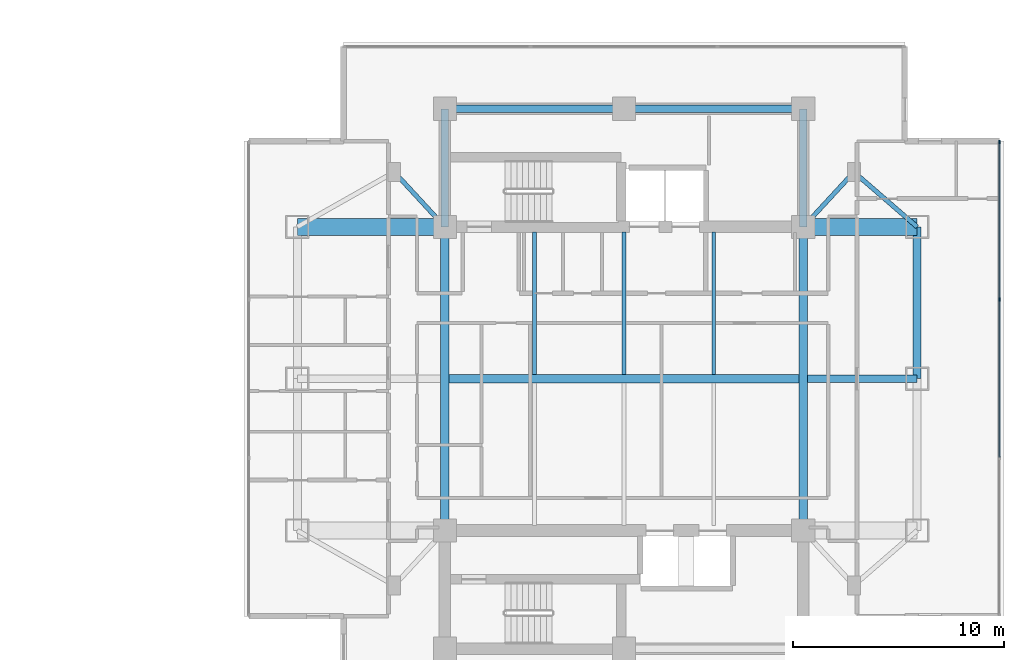
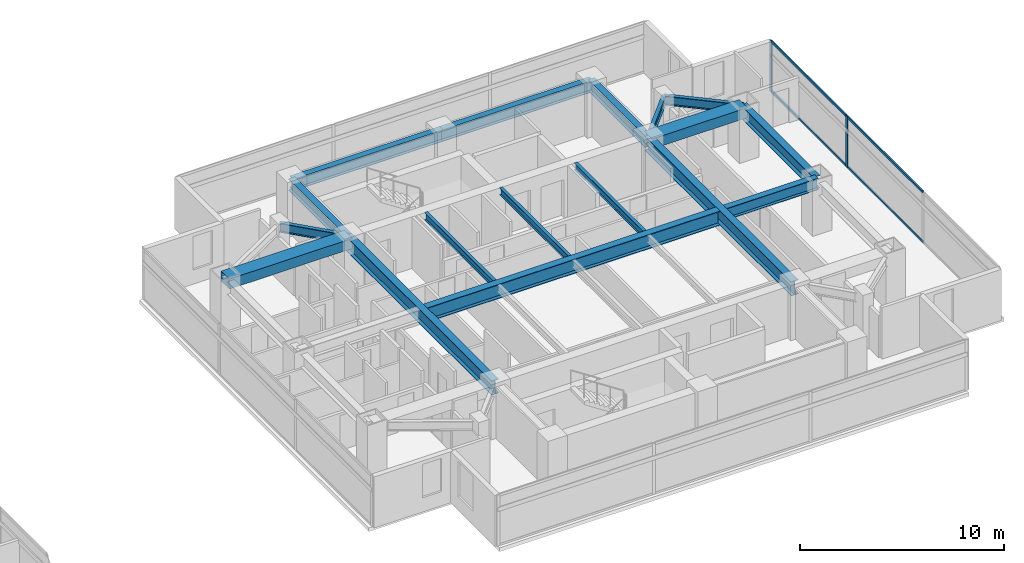
# One storey, part 10 of 25: 17 beams, 6 members, 1 element without a shape of its own.
"""IFC4 building model written with IfcOpenShell, lengths in metres."""

import ifcopenshell
import ifcopenshell.guid

model = None  # the IFC model being written
_history = None  # IfcOwnerHistory: only IFC2X3 demands one
_inside = {}  # id of a spatial element -> (the spatial element, [elements in it])
_under = {}  # id of a project, library or spatial element -> (it, [spatial elements below it])
_declared = {}  # id of a project -> (the project, [libraries it declares])
_typed = {}  # id of a type object -> (the type object, [elements of that type])
_made_of = {}  # id of a material, layer set ... -> (it, [elements and type objects made of it])


def new_model(schema):
    """Start an empty IFC model of exactly this schema.

    Asked for "IFC4X3", IfcOpenShell would pick the latest addendum, in which some entities
    have other attributes; the version numbers below select the first issue.
    IFC2X3 requires an IfcOwnerHistory on every rooted entity: one is made here for all.
    """
    global model, _history
    if schema == "IFC4X3":
        model = ifcopenshell.file(schema_version=(4, 3, 0, 0))
    else:
        model = ifcopenshell.file(schema=schema)
    _inside.clear()
    _under.clear()
    _declared.clear()
    _typed.clear()
    _made_of.clear()
    _history = None
    if model.schema == "IFC2X3":
        org = make("IfcOrganization", Name="unknown")
        user = make(
            "IfcPersonAndOrganization",
            ThePerson=make("IfcPerson", FamilyName="unknown"),
            TheOrganization=org,
        )
        app = make(
            "IfcApplication",
            ApplicationDeveloper=org,
            Version="unknown",
            ApplicationFullName="unknown",
            ApplicationIdentifier="unknown",
        )
        _history = make(
            "IfcOwnerHistory",
            OwningUser=user,
            OwningApplication=app,
            ChangeAction="ADDED",
            CreationDate=0,
        )
    return model


def make(cls, **values):
    """One entity of the class cls with the attributes given. An attribute that is None is left unset."""
    return model.create_entity(
        cls, **{name: value for name, value in values.items() if value is not None}
    )


def rooted(cls, **values):
    """An entity with a GlobalId (a new one), such as an element, a storey or a relation."""
    return make(cls, GlobalId=ifcopenshell.guid.new(), OwnerHistory=_history, **values)


def si_unit(unit_type, name, prefix=None):
    """IfcSIUnit, for example si_unit("LENGTHUNIT", "METRE", prefix="MILLI")."""
    return make("IfcSIUnit", UnitType=unit_type, Prefix=prefix, Name=name)


def assignment(units):
    """IfcUnitAssignment: the units of a project."""
    return None if units is None else make("IfcUnitAssignment", Units=units)


def point(xyz):
    """IfcCartesianPoint."""
    return None if xyz is None else make("IfcCartesianPoint", Coordinates=xyz)


def direction(xyz):
    """IfcDirection."""
    return None if xyz is None else make("IfcDirection", DirectionRatios=xyz)


def frame(location, z_axis=None, x_axis=None):
    """IfcAxis2Placement3D, a coordinate frame: its origin and axes. An axis left out is left unset."""
    return make(
        "IfcAxis2Placement3D",
        Location=point(location),
        Axis=direction(z_axis),
        RefDirection=direction(x_axis),
    )


def frame_2d(location, x_axis=None):
    """IfcAxis2Placement2D, a coordinate frame in the plane: its origin and x axis."""
    return make(
        "IfcAxis2Placement2D", Location=point(location), RefDirection=direction(x_axis)
    )


def origin():
    """The frame at (0, 0, 0) with its axes left unset."""
    return frame((0.0, 0.0, 0.0))


def origin_2d():
    """The frame at (0, 0) in the plane with its x axis left unset."""
    return frame_2d((0.0, 0.0))


def place(relative_to, where):
    """IfcLocalPlacement: puts the frame where relative to a parent placement (None: the world)."""
    return make(
        "IfcLocalPlacement", PlacementRelTo=relative_to, RelativePlacement=where
    )


def context(
    kind, dimensions, precision=None, world=None, true_north=None, identifier=None
):
    """IfcGeometricRepresentationContext, for example the 3D "Model" context."""
    return make(
        "IfcGeometricRepresentationContext",
        ContextIdentifier=identifier,
        ContextType=kind,
        CoordinateSpaceDimension=dimensions,
        Precision=precision,
        WorldCoordinateSystem=world,
        TrueNorth=true_north,
    )


def subcontext(parent, identifier, kind, view, scale=None):
    """IfcGeometricRepresentationSubContext, for example "Body" below "Model"."""
    return make(
        "IfcGeometricRepresentationSubContext",
        ContextIdentifier=identifier,
        ContextType=kind,
        ParentContext=parent,
        TargetScale=scale,
        TargetView=view,
    )


def project(units=None, contexts=None):
    """IfcProject with its units and contexts."""
    return rooted(
        "IfcProject",
        Name="project",
        RepresentationContexts=contexts,
        UnitsInContext=assignment(units),
    )


def spatial(cls, under=None, at=None, **own):
    """A site, building, storey or space (cls), placed at a placement, below another one or the project."""
    s = rooted(cls, ObjectPlacement=at, **own)
    if under is not None:
        _under.setdefault(under.id(), (under, []))[1].append(s)
    return s


def profile(cls, at=None, kind="AREA", **sizes):
    """A parametric profile (cls). Its sizes go by their IFC names, for example OverallWidth=200.0."""
    return make(cls, ProfileType=kind, Position=at, **sizes)


def rectangle(**sizes):
    """IfcRectangleProfileDef."""
    return profile("IfcRectangleProfileDef", **sizes)


def i_section(**sizes):
    """IfcIShapeProfileDef."""
    return profile("IfcIShapeProfileDef", **sizes)


def extrude(swept, where, along, depth):
    """IfcExtrudedAreaSolid: the profile swept, set in the frame where, extruded along a direction by depth."""
    return make(
        "IfcExtrudedAreaSolid",
        SweptArea=swept,
        Position=where,
        ExtrudedDirection=direction(along),
        Depth=depth,
    )


def shape(context_of_items, identifier, shape_type, items):
    """IfcShapeRepresentation: the items that make up one representation, for example the "Body"."""
    return make(
        "IfcShapeRepresentation",
        ContextOfItems=context_of_items,
        RepresentationIdentifier=identifier,
        RepresentationType=shape_type,
        Items=items,
    )


def material(Name=None, Category=None):
    """IfcMaterial."""
    return make("IfcMaterial", Name=Name, Category=Category)


def material_profile(
    of_material, cross_section, Name=None, Category=None, Priority=None
):
    """IfcMaterialProfile: a cross section and its material."""
    return make(
        "IfcMaterialProfile",
        Name=Name,
        Material=of_material,
        Profile=cross_section,
        Priority=Priority,
        Category=Category,
    )


def profile_set(profiles, Name=None, composite=None):
    """IfcMaterialProfileSet."""
    return make(
        "IfcMaterialProfileSet",
        Name=Name,
        MaterialProfiles=profiles,
        CompositeProfile=composite,
    )


def made_of(thing, what):
    """Note that an element or type object is made of a material, layer set ...; save() writes the relation."""
    if what is not None:
        _made_of.setdefault(what.id(), (what, []))[1].append(thing)
    return thing


def type_object(cls, material=None, **own):
    """A type object (cls), such as IfcWallType, which elements share."""
    return made_of(rooted(cls, **own), material)


def element(
    cls,
    number,
    at=None,
    inside=None,
    cuts=None,
    type_object=None,
    material=None,
    context=None,
    identifier="Body",
    shape_type=None,
    held_by="IfcProductDefinitionShape",
    body=None,
    shapes=None,
    **own,
):
    """One element of the class cls, such as IfcWall. Its Tag is "e" and its number.

    at: its placement. inside: the storey or other place that contains it. cuts: it is an
    opening in that element (IfcRelVoidsElement). A single representation is given by context,
    identifier, shape_type and body (its items); several are given by shapes. held_by: the class
    of the entity that holds the representations. save() writes the other relations.
    """
    e = rooted(cls, Tag="e%d" % number, ObjectPlacement=at, **own)
    if body is not None:
        shapes = [shape(context, identifier, shape_type, body)]
    if shapes is not None:
        e.Representation = make(held_by, Representations=shapes)
    if inside is not None:
        _inside.setdefault(inside.id(), (inside, []))[1].append(e)
    if cuts is not None:
        rooted(
            "IfcRelVoidsElement", RelatingBuildingElement=cuts, RelatedOpeningElement=e
        )
    if type_object is not None:
        _typed.setdefault(type_object.id(), (type_object, []))[1].append(e)
    return made_of(e, material)


def aggregate(whole, parts):
    """IfcRelAggregates: a whole, such as a stair, and the parts it consists of."""
    return rooted("IfcRelAggregates", RelatingObject=whole, RelatedObjects=parts)


def save(model, path):
    """Write the relations noted so far, then the file.

    IfcRelAggregates (storeys below a building ...), IfcRelContainedInSpatialStructure (elements
    in a storey), IfcRelDefinesByType, IfcRelAssociatesMaterial and IfcRelDeclares: one each for
    every whole, place, type object, material and project.
    """
    for whole, parts in _under.values():
        aggregate(whole, parts)
    for where, things in _inside.values():
        rooted(
            "IfcRelContainedInSpatialStructure",
            RelatedElements=things,
            RelatingStructure=where,
        )
    for kind, things in _typed.values():
        rooted("IfcRelDefinesByType", RelatedObjects=things, RelatingType=kind)
    for what, things in _made_of.values():
        rooted("IfcRelAssociatesMaterial", RelatedObjects=things, RelatingMaterial=what)
    for by, libraries in _declared.values():
        rooted("IfcRelDeclares", RelatingContext=by, RelatedDefinitions=libraries)
    model.write(path)


model = new_model("IFC4")

# Units and contexts
model_context = context("Model", 3, precision=1e-05, world=origin(), true_north=direction((0.0, 1.0)))
body_context = subcontext(model_context, "Body", "Model", "MODEL_VIEW")
ifc_project = project(units=[si_unit("LENGTHUNIT", "METRE"), si_unit("AREAUNIT", "SQUARE_METRE"), si_unit("VOLUMEUNIT", "CUBIC_METRE"), si_unit("PLANEANGLEUNIT", "RADIAN"), si_unit("MASSUNIT", "GRAM", prefix="KILO")], contexts=[model_context])

# Site, building, storey
site_placement = place(None, origin())
site = spatial("IfcSite", under=ifc_project, at=site_placement, CompositionType="ELEMENT")
building_placement = place(site_placement, origin())
building = spatial("IfcBuilding", under=site, at=building_placement, Name="Mirazonda Arch Towers", CompositionType="ELEMENT")
storey_placement = place(building_placement, frame((0.0, 0.0, 131.300048828125)))
storey = spatial("IfcBuildingStorey", under=building, at=storey_placement, Name="L37", CompositionType="ELEMENT", Elevation=131.300048828125)

# Beams
ifc_material_1 = material(Name="Steel ASTM A992 Grade 50", Category="steel")
ifc_material_profile_1 = material_profile(ifc_material_1, i_section(OverallWidth=0.381103515625, OverallDepth=0.77294921875, WebThickness=0.0166015625, FlangeThickness=0.027099609375, at=origin_2d()), Name="W30X173")
ifc_profile_set_1 = profile_set([ifc_material_profile_1], Name="Steel ASTM A992 Grade 50")
beam_type_1 = type_object("IfcBeamType", Name="BM-EXT-W30X173", PredefinedType="USERDEFINED", material=ifc_profile_set_1)
beam_1_placement = place(storey_placement, frame((90.39990234375, 28.0, 2.693359375), z_axis=(0.0, 1.0, 0.0), x_axis=(-1.0, 0.0, 0.0)))
element("IfcBeam", 1, at=beam_1_placement, inside=storey, type_object=beam_type_1, Name="L37 Floor Beam BM-T2-L37-NS-E-28", ObjectType="GIRDER", PredefinedType="USERDEFINED", context=body_context, shape_type="SweptSolid", body=[
    extrude(i_section(OverallWidth=0.381103515625, OverallDepth=0.77294921875, WebThickness=0.0166015625, FlangeThickness=0.027099609375, at=origin_2d()), origin(), (0.0, 0.0, 1.0), 7.199951171875),
])
ifc_material_profile_2 = material_profile(ifc_material_1, i_section(OverallWidth=0.180908203125, OverallDepth=0.4169921875, WebThickness=0.010986328125, FlangeThickness=0.018310546875, at=origin_2d()), Name="W16X57")
ifc_profile_set_2 = profile_set([ifc_material_profile_2], Name="Steel ASTM A992 Grade 50")
beam_type_2 = type_object("IfcBeamType", Name="BM-INT-W16X57", PredefinedType="JOIST", material=ifc_profile_set_2)
for number, where, z_axis, x_axis, name in (
    (2, (72.25, 28.196044921875, 2.871337890625), (0.0, 1.0, 0.0), (-1.0, 0.0, 0.0), "L37 Floor Beam BM-T2-L37-J-722-28"),
    (3, (76.5, 28.196044921875, 2.871337890625), (0.0, 1.0, 0.0), (-1.0, 0.0, 0.0), "L37 Floor Beam BM-T2-L37-J-765-28"),
    (4, (80.75, 28.196044921875, 2.871337890625), (0.0, 1.0, 0.0), (-1.0, 0.0, 0.0), "L37 Floor Beam BM-T2-L37-J-807-28"),
):
    element("IfcBeam", number, at=place(storey_placement, frame(where, z_axis=z_axis, x_axis=x_axis)), inside=storey, type_object=beam_type_2, Name=name, PredefinedType="JOIST", context=body_context, shape_type="SweptSolid", body=[
        extrude(i_section(OverallWidth=0.180908203125, OverallDepth=0.4169921875, WebThickness=0.010986328125, FlangeThickness=0.018310546875, at=origin_2d()), origin(), (0.0, 0.0, 1.0), 6.763916015625),
    ])
ifc_material_profile_3 = material_profile(ifc_material_1, i_section(OverallWidth=0.214111328125, OverallDepth=0.549072265625, WebThickness=0.0146484375, FlangeThickness=0.023681640625, at=origin_2d()), Name="W21X93")
ifc_profile_set_3 = profile_set([ifc_material_profile_3], Name="Steel ASTM A992 Grade 50")
beam_type_3 = type_object("IfcBeamType", Name="BM-INT-W21X93", PredefinedType="BEAM", material=ifc_profile_set_3)
for number, where, z_axis, x_axis, name in (
    (5, (65.60009765625, 37.800048828125, 2.805419921875), (0.678251444854, -0.734829897019, 0.0), (0.734829897019, 0.678251444854, 0.0), "L37 Floor Beam BM-T2-L37-PL-NW1"),
    (6, (87.39990234375, 37.800048828125, 2.805419921875), (-0.678251444854, -0.734829897019, 0.0), (0.734829897019, -0.678251444854, 0.0), "L37 Floor Beam BM-T2-L37-PL-NE1"),
):
    element("IfcBeam", number, at=place(storey_placement, frame(where, z_axis=z_axis, x_axis=x_axis)), inside=storey, type_object=beam_type_3, Name=name, PredefinedType="BEAM", context=body_context, shape_type="SweptSolid", body=[
        extrude(i_section(OverallWidth=0.214111328125, OverallDepth=0.549072265625, WebThickness=0.0146484375, FlangeThickness=0.023681640625, at=origin_2d()), origin(), (0.0, 0.0, 1.0), 3.538330078125),
    ])
beam_2_placement = place(storey_placement, frame((87.39990234375, 37.800048828125, 2.805419921875), z_axis=(0.755676908098, -0.654944585876, 0.0), x_axis=(0.654944585876, 0.755676908098, 0.0)))
element("IfcBeam", 7, at=beam_2_placement, inside=storey, type_object=beam_type_3, Name="L37 Floor Beam BM-T2-L37-PL-NE2", PredefinedType="BEAM", context=body_context, shape_type="SweptSolid", body=[
    extrude(i_section(OverallWidth=0.214111328125, OverallDepth=0.549072265625, WebThickness=0.0146484375, FlangeThickness=0.023681640625, at=origin_2d()), origin(), (0.0, 0.0, 1.0), 3.969970703125),
])
ifc_material_profile_4 = material_profile(ifc_material_1, i_section(OverallWidth=0.35498046875, OverallDepth=0.696044921875, WebThickness=0.015380859375, FlangeThickness=0.02490234375, at=origin_2d()), Name="W27X146")
ifc_profile_set_4 = profile_set([ifc_material_profile_4], Name="Steel ASTM A992 Grade 50")
beam_type_4 = type_object("IfcBeamType", Name="BM-INT-W27X146", PredefinedType="BEAM", material=ifc_profile_set_4)
for number, where, z_axis, x_axis, name in (
    (8, (68.0, 40.800048828125, 2.73193359375), (1.0, 0.0, 0.0), (0.0, 1.0, 0.0), "L37 Floor Beam BM-T2-L37-CN1"),
    (9, (76.5, 40.800048828125, 2.73193359375), (1.0, 0.0, 0.0), (0.0, 1.0, 0.0), "L37 Floor Beam BM-T2-L37-CN2"),
):
    element("IfcBeam", number, at=place(storey_placement, frame(where, z_axis=z_axis, x_axis=x_axis)), inside=storey, type_object=beam_type_4, Name=name, PredefinedType="BEAM", context=body_context, shape_type="SweptSolid", body=[
        extrude(i_section(OverallWidth=0.35498046875, OverallDepth=0.696044921875, WebThickness=0.015380859375, FlangeThickness=0.02490234375, at=origin_2d()), origin(), (0.0, 0.0, 1.0), 8.5),
    ])
for number, where, z_axis, x_axis, name in (
    (10, (68.0, 35.199951171875, 2.73193359375), (0.0, 1.0, 0.0), (-1.0, 0.0, 0.0), "L37 Floor Beam BM-T2-L37-CNW"),
    (11, (85.0, 35.199951171875, 2.73193359375), (0.0, 1.0, 0.0), (-1.0, 0.0, 0.0), "L37 Floor Beam BM-T2-L37-CNE"),
):
    element("IfcBeam", number, at=place(storey_placement, frame(where, z_axis=z_axis, x_axis=x_axis)), inside=storey, type_object=beam_type_4, Name=name, PredefinedType="BEAM", context=body_context, shape_type="SweptSolid", body=[
        extrude(i_section(OverallWidth=0.35498046875, OverallDepth=0.696044921875, WebThickness=0.015380859375, FlangeThickness=0.02490234375, at=origin_2d()), origin(), (0.0, 0.0, 1.0), 5.60009765625),
    ])
beam_3_placement = place(storey_placement, frame((85.199951171875, 28.0, 2.73193359375), z_axis=(1.0, 0.0, 0.0), x_axis=(0.0, 1.0, 0.0)))
element("IfcBeam", 12, at=beam_3_placement, inside=storey, type_object=beam_type_4, Name="L37 Floor Beam BM-T2-L37-GE2", PredefinedType="BEAM", context=body_context, shape_type="SweptSolid", body=[
    extrude(i_section(OverallWidth=0.35498046875, OverallDepth=0.696044921875, WebThickness=0.015380859375, FlangeThickness=0.02490234375, at=origin_2d()), origin(), (0.0, 0.0, 1.0), 5.199951171875),
])
ifc_material_profile_5 = material_profile(ifc_material_1, i_section(OverallWidth=0.39990234375, OverallDepth=0.85595703125, WebThickness=0.018310546875, FlangeThickness=0.029296875, at=origin_2d()), Name="W33X201")
ifc_profile_set_5 = profile_set([ifc_material_profile_5], Name="Steel ASTM A992 Grade 50")
beam_type_5 = type_object("IfcBeamType", Name="BM-INT-W33X201", PredefinedType="USERDEFINED", material=ifc_profile_set_5)
beam_4_placement = place(storey_placement, frame((68.199951171875, 28.0, 2.65185546875), z_axis=(1.0, 0.0, 0.0), x_axis=(0.0, 1.0, 0.0)))
element("IfcBeam", 13, at=beam_4_placement, inside=storey, type_object=beam_type_5, Name="L37 Floor Beam BM-T2-L37-GC2", ObjectType="GIRDER", PredefinedType="USERDEFINED", context=body_context, shape_type="SweptSolid", body=[
    extrude(i_section(OverallWidth=0.39990234375, OverallDepth=0.85595703125, WebThickness=0.018310546875, FlangeThickness=0.029296875, at=origin_2d()), origin(), (0.0, 0.0, 1.0), 16.60009765625),
])
for number, where, z_axis, x_axis, name in (
    (14, (68.0, 20.800048828125, 2.65185546875), (0.0, 1.0, 0.0), (-1.0, 0.0, 0.0), "L37 Floor Beam BM-T2-L37-NS-CW-FULL"),
    (15, (85.0, 20.800048828125, 2.65185546875), (0.0, 1.0, 0.0), (-1.0, 0.0, 0.0), "L37 Floor Beam BM-T2-L37-NS-CE-FULL"),
):
    element("IfcBeam", number, at=place(storey_placement, frame(where, z_axis=z_axis, x_axis=x_axis)), inside=storey, type_object=beam_type_5, Name=name, ObjectType="GIRDER", PredefinedType="USERDEFINED", context=body_context, shape_type="SweptSolid", body=[
        extrude(i_section(OverallWidth=0.39990234375, OverallDepth=0.85595703125, WebThickness=0.018310546875, FlangeThickness=0.029296875, at=origin_2d()), origin(), (0.0, 0.0, 1.0), 14.39990234375),
    ])
ifc_material_2 = material(Name="Concrete C60/75", Category="concrete")
ifc_material_profile_6 = material_profile(ifc_material_2, rectangle(XDim=0.800048828125, YDim=0.60009765625, at=origin_2d()), Name="RCCB800x600")
ifc_profile_set_6 = profile_set([ifc_material_profile_6], Name="Concrete C60/75")
beam_type_6 = type_object("IfcBeamType", Name="CB-INT-RCCB800x600", PredefinedType="SPANDREL", material=ifc_profile_set_6)
beam_5_placement = place(storey_placement, frame((61.0, 35.199951171875, 2.780029296875), z_axis=(1.0, 0.0, 0.0), x_axis=(0.0, 1.0, 0.0)))
element("IfcBeam", 16, at=beam_5_placement, inside=storey, type_object=beam_type_6, Name="L37 Floor Beam CBC-T2-L37-NW", PredefinedType="SPANDREL", context=body_context, shape_type="SweptSolid", body=[
    extrude(rectangle(XDim=0.800048828125, YDim=0.60009765625, at=origin_2d()), origin(), (0.0, 0.0, 1.0), 7.0),
])
beam_6_placement = place(storey_placement, frame((85.0, 35.199951171875, 2.780029296875), z_axis=(1.0, 0.0, 0.0), x_axis=(0.0, 1.0, 0.0)))
element("IfcBeam", 17, at=beam_6_placement, inside=storey, type_object=beam_type_6, Name="L37 Floor Beam CBC-T2-L37-NE", PredefinedType="SPANDREL", context=body_context, shape_type="SweptSolid", body=[
    extrude(rectangle(XDim=0.800048828125, YDim=0.60009765625, at=origin_2d()), origin(), (0.0, 0.0, 1.0), 5.39990234375),
])

# Curtain wall, members
ifc_material_3 = material(Name="Anodised Aluminium and Low-E Glass", Category="aluminium")
curtain_wall_type = type_object("IfcCurtainWallType", Name="CW-HTL-UNIT", PredefinedType="NOTDEFINED", material=ifc_material_3)
curtain_wall_placement = place(storey_placement, origin())
curtain_wall = element("IfcCurtainWall", 18, at=curtain_wall_placement, inside=storey, type_object=curtain_wall_type, Name="L37 T2 E Facade CW-L37-T2-E", PredefinedType="NOTDEFINED")
ifc_material_4 = material(Name="Anodised Aluminium Alloy", Category="aluminium")
ifc_material_profile_7 = material_profile(ifc_material_4, rectangle(XDim=0.074951171875, YDim=0.1650390625, at=origin_2d()), Name="ALU-MULL-75x165")
ifc_profile_set_7 = profile_set([ifc_material_profile_7], Name="Anodised Aluminium Alloy")
member_type_1 = type_object("IfcMemberType", Name="MULL-CW-HTL-UNIT", PredefinedType="MULLION", material=ifc_profile_set_7)
member_1_placement = place(storey_placement, frame((94.297119140625, 31.755126953125, 0.0), z_axis=(0.0, 0.0, 1.0), x_axis=(-1.0, 0.0, 0.0)))
member_1 = element("IfcMember", 19, at=member_1_placement, type_object=member_type_1, Name="CW-112 mullion 3", PredefinedType="MULLION", context=body_context, shape_type="SweptSolid", body=[
    extrude(rectangle(XDim=0.074951171875, YDim=0.1650390625, at=origin_2d()), origin(), (0.0, 0.0, 1.0), 3.06005859375),
])
member_2_placement = place(storey_placement, frame((94.297119140625, 39.228271484375, 0.0), z_axis=(0.0, 0.0, 1.0), x_axis=(-1.0, 0.0, 0.0)))
member_2 = element("IfcMember", 20, at=member_2_placement, type_object=member_type_1, Name="CW-112 mullion 4", PredefinedType="MULLION", context=body_context, shape_type="SweptSolid", body=[
    extrude(rectangle(XDim=0.074951171875, YDim=0.1650390625, at=origin_2d()), origin(), (0.0, 0.0, 1.0), 3.06005859375),
])
ifc_material_profile_8 = material_profile(ifc_material_4, rectangle(XDim=0.074951171875, YDim=0.14501953125, at=origin_2d()), Name="ALU-TRAN-75x145")
ifc_profile_set_8 = profile_set([ifc_material_profile_8], Name="Anodised Aluminium Alloy")
member_type_2 = type_object("IfcMemberType", Name="TRAN-CW-HTL-UNIT", PredefinedType="USERDEFINED", material=ifc_profile_set_8)
member_3_placement = place(storey_placement, frame((94.297119140625, 24.2822265625, 0.037353515625), z_axis=(0.0, 1.0, 0.0), x_axis=(-1.0, 0.0, 0.0)))
member_3 = element("IfcMember", 21, at=member_3_placement, type_object=member_type_2, Name="CW-112 transom 2.1", ObjectType="TRANSOM", PredefinedType="USERDEFINED", context=body_context, shape_type="SweptSolid", body=[
    extrude(rectangle(XDim=0.074951171875, YDim=0.14501953125, at=origin_2d()), origin(), (0.0, 0.0, 1.0), 7.435546875),
])
member_4_placement = place(storey_placement, frame((94.297119140625, 24.2822265625, 3.0224609375), z_axis=(0.0, 1.0, 0.0), x_axis=(-1.0, 0.0, 0.0)))
member_4 = element("IfcMember", 22, at=member_4_placement, type_object=member_type_2, Name="CW-112 transom 2.2", ObjectType="TRANSOM", PredefinedType="USERDEFINED", context=body_context, shape_type="SweptSolid", body=[
    extrude(rectangle(XDim=0.074951171875, YDim=0.14501953125, at=origin_2d()), origin(), (0.0, 0.0, 1.0), 7.435546875),
])
member_5_placement = place(storey_placement, frame((94.297119140625, 31.792724609375, 0.037353515625), z_axis=(0.0, 1.0, 0.0), x_axis=(-1.0, 0.0, 0.0)))
member_5 = element("IfcMember", 23, at=member_5_placement, type_object=member_type_2, Name="CW-112 transom 3.1", ObjectType="TRANSOM", PredefinedType="USERDEFINED", context=body_context, shape_type="SweptSolid", body=[
    extrude(rectangle(XDim=0.074951171875, YDim=0.14501953125, at=origin_2d()), origin(), (0.0, 0.0, 1.0), 7.39794921875),
])
member_6_placement = place(storey_placement, frame((94.297119140625, 31.792724609375, 3.0224609375), z_axis=(0.0, 1.0, 0.0), x_axis=(-1.0, 0.0, 0.0)))
member_6 = element("IfcMember", 24, at=member_6_placement, type_object=member_type_2, Name="CW-112 transom 3.2", ObjectType="TRANSOM", PredefinedType="USERDEFINED", context=body_context, shape_type="SweptSolid", body=[
    extrude(rectangle(XDim=0.074951171875, YDim=0.14501953125, at=origin_2d()), origin(), (0.0, 0.0, 1.0), 7.39794921875),
])
aggregate(curtain_wall, [member_1, member_2, member_3, member_4, member_5, member_6])

save(model, "model.ifc")
